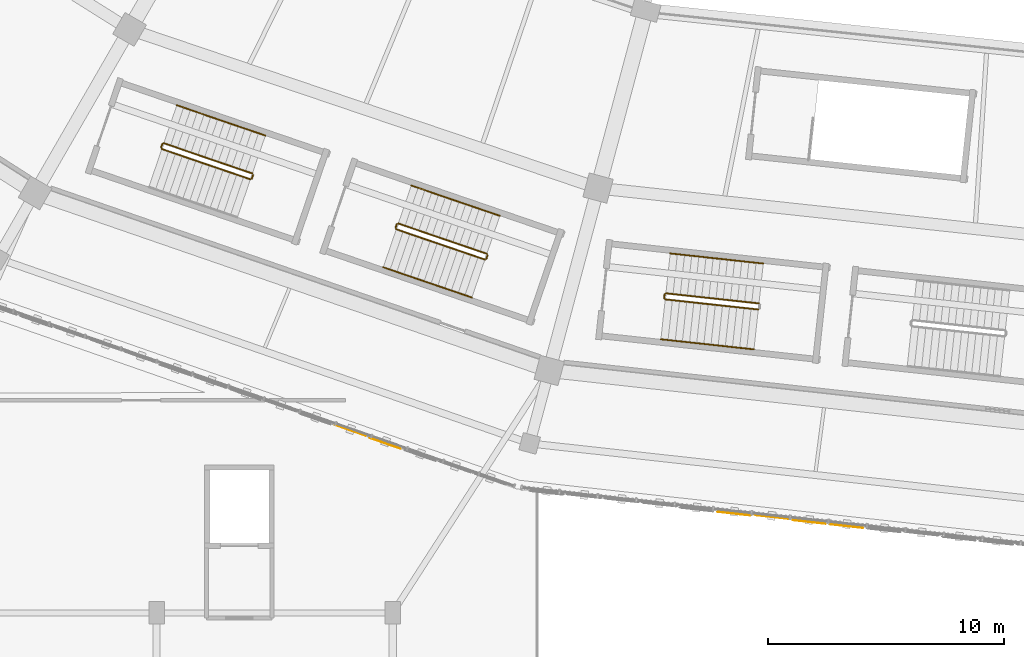
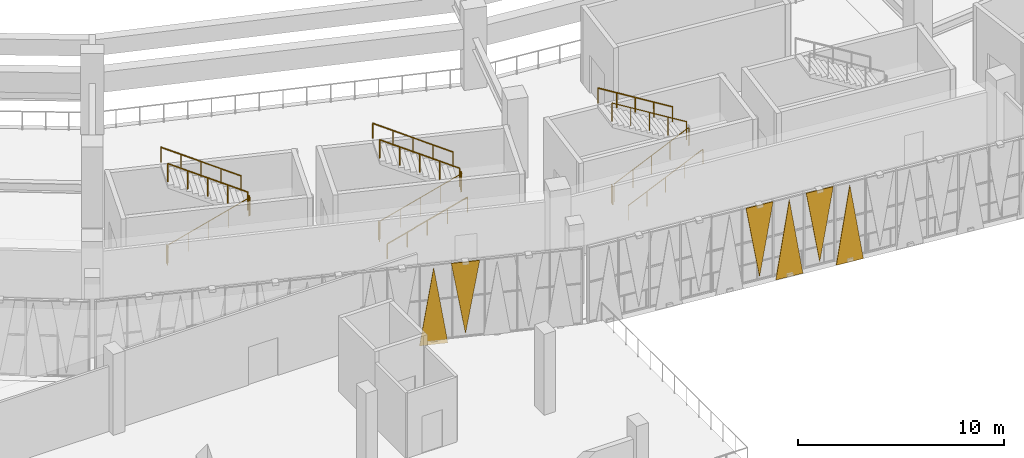
# One storey, part 132 of 179: 16 railings, 6 coverings.
"""IFC4 building model written with IfcOpenShell, lengths in metres."""

from ifc_helpers import new_model, si_unit, direction, frame, origin, origin_2d, place, context, subcontext, project, spatial, polyline, circle, outline, extrude, material, layer, layer_set, type_object, element, save


model = new_model("IFC4")

# Units and contexts
model_context = context("Model", 3, precision=1e-05, world=origin(), true_north=direction((0.0, 1.0)))
body_context = subcontext(model_context, "Body", "Model", "MODEL_VIEW")
ifc_project = project(units=[si_unit("LENGTHUNIT", "METRE"), si_unit("AREAUNIT", "SQUARE_METRE"), si_unit("VOLUMEUNIT", "CUBIC_METRE"), si_unit("PLANEANGLEUNIT", "RADIAN"), si_unit("MASSUNIT", "GRAM", prefix="KILO")], contexts=[model_context])

# Site, building, storey
site_placement = place(None, origin())
site = spatial("IfcSite", under=ifc_project, at=site_placement, CompositionType="ELEMENT")
building_placement = place(site_placement, origin())
building = spatial("IfcBuilding", under=site, at=building_placement, Name="Zevraka Park Crest Stadium", CompositionType="ELEMENT")
storey_placement = place(building_placement, frame((0.0, 0.0, 10.199951171875)))
storey = spatial("IfcBuildingStorey", under=building, at=storey_placement, Name="L02", CompositionType="ELEMENT", Elevation=10.199951171875)

# Coverings
ifc_material_1 = material(Name="Architectural golden-bronze perforated aluminium", Category="aluminium")
ifc_layer = layer(ifc_material_1, 0.034912109375)
ifc_layer_set = layer_set([ifc_layer], Name="Architectural golden-bronze perforated aluminium")
covering_type = type_object("IfcCoveringType", Name="CLD01", PredefinedType="CLADDING", material=ifc_layer_set)
covering_1_placement = place(storey_placement, frame((79.5390625, 16.947021484375, -0.239990234375), z_axis=(-0.329940648962, -0.944001677908, 1.6438083e-05), x_axis=(0.944001678035, -0.329940649006, 0.0)))
element("IfcCovering", 1, at=covering_1_placement, inside=storey, type_object=covering_type, Name="Triangular Golden-Bronze Perforated Cladding L02-16-11", PredefinedType="CLADDING", context=body_context, shape_type="SweptSolid", body=[
    extrude(outline(polyline([(0.0, 0.0), (1.4066509522935817, 8.470329472543003e-22), (0.703169965608822, 4.5600585943660885), (0.0, 0.0)])), origin(), (0.0, 0.0, -1.0), 0.034912109375),
])
covering_2_placement = place(storey_placement, frame((82.345947265625, 15.967041015625, 4.47998046875), z_axis=(0.329166977583, 0.94427172525, 9.8799929e-05), x_axis=(-0.944271729859, 0.32916697919, 0.0)))
element("IfcCovering", 2, at=covering_2_placement, inside=storey, type_object=covering_type, Name="Triangular Golden-Bronze Perforated Cladding L02-16-12", PredefinedType="CLADDING", context=body_context, shape_type="SweptSolid", body=[
    extrude(outline(polyline([(0.0, 0.0), (1.4062486648553232, -6.776263578034403e-21), (0.7034003260368679, -4.2600097864168855), (0.0, 0.0)])), origin(), (0.0, 0.0, -1.0), 0.034912109375),
])
covering_3_placement = place(storey_placement, frame((97.179931640625, 13.14501953125, 4.47998046875), z_axis=(0.109872351213, 0.993945705799, 1.9036296e-05), x_axis=(-0.993945705979, 0.109872351233, 0.0)))
element("IfcCovering", 3, at=covering_3_placement, inside=storey, type_object=covering_type, Name="Triangular Golden-Bronze Perforated Cladding L02-17-6", PredefinedType="CLADDING", context=body_context, shape_type="SweptSolid", body=[
    extrude(outline(polyline([(0.0, 0.0), (1.4376590889512042, 0.0), (0.719206950416663, -4.260009766396873), (0.0, 0.0)])), origin(), (0.0, 0.0, -1.0), 0.034912109375),
])
covering_4_placement = place(storey_placement, frame((97.339111328125, 13.126953125, -0.239990234375), z_axis=(-0.110543347705, -0.993871296647, 0.000118231067), x_axis=(0.993871303594, -0.110543348478, 0.0)))
element("IfcCovering", 4, at=covering_4_placement, inside=storey, type_object=covering_type, Name="Triangular Golden-Bronze Perforated Cladding L02-17-7", PredefinedType="CLADDING", context=body_context, shape_type="SweptSolid", body=[
    extrude(outline(polyline([(0.0, 0.0), (1.4377667138168417, 3.3881317890172014e-21), (0.7182092756998811, 4.5600586256215845), (0.0, 0.0)])), origin(), (0.0, 0.0, -1.0), 0.034912109375),
])
covering_5_placement = place(storey_placement, frame((100.35595703125, 12.7919921875, 4.47998046875), z_axis=(0.110543347094, 0.993871291151, 0.000158234661), x_axis=(-0.993871303594, 0.110543348478, 0.0)))
element("IfcCovering", 5, at=covering_5_placement, inside=storey, type_object=covering_type, Name="Triangular Golden-Bronze Perforated Cladding L02-17-8", PredefinedType="CLADDING", context=body_context, shape_type="SweptSolid", body=[
    extrude(outline(polyline([(0.0, 0.0), (1.4377667138168417, 0.0), (0.7183442163108157, -4.260009818956506), (0.0, 0.0)])), origin(), (0.0, 0.0, -1.0), 0.034912109375),
])
covering_6_placement = place(storey_placement, frame((100.514892578125, 12.77490234375, -0.239990234375), z_axis=(0.110524695528, 0.993873375766, 6.7981619e-05), x_axis=(0.993873378063, -0.110524695784, 0.0)))
element("IfcCovering", 6, at=covering_6_placement, inside=storey, type_object=covering_type, Name="Triangular Golden-Bronze Perforated Cladding L02-17-9", PredefinedType="CLADDING", context=body_context, shape_type="SweptSolid", body=[
    extrude(outline(polyline([(0.0, 0.0), (1.4380093584313232, 0.0), (0.7195304443035038, -4.560058604287158), (0.0, 0.0)])), origin(), (0.0, 0.0, -1.0), 0.034912109375),
])

# Railings
ifc_material_2 = material(Name="Powder-coated tubular steel stairwell guard", Category="steel")
railing_type_1 = type_object("IfcRailingType", Name="GR03", PredefinedType="GUARDRAIL", material=ifc_material_2)
railing_1_placement = place(storey_placement, frame((72.218017578125, 28.649658203125, 0.17138671875)))
element("IfcRailing", 7, at=railing_1_placement, inside=storey, type_object=railing_type_1, Name="L02 ST17 stair guard 1", PredefinedType="GUARDRAIL", context=body_context, shape_type="SweptSolid", body=[
    extrude(circle(Radius=0.02392578125, at=origin_2d()), frame((0.0, 0.0, 1.076171875), z_axis=(0.824717605898, -0.282384596462, 0.489999806329), x_axis=(0.323938619155, 0.946078099852, 0.0)), (0.0, 0.0, 1.0), 4.548583984375),
    extrude(circle(Radius=0.02099609375, at=origin_2d()), origin(), (0.0, 0.0, 1.0), 1.052001953125),
    extrude(circle(Radius=0.02099609375, at=origin_2d()), frame((0.937744140625, -0.321044921875, 0.55712890625)), (0.0, 0.0, 1.0), 1.052001953125),
    extrude(circle(Radius=0.02099609375, at=origin_2d()), frame((1.87548828125, -0.64208984375, 1.1142578125)), (0.0, 0.0, 1.0), 1.052001953125),
    extrude(circle(Radius=0.02099609375, at=origin_2d()), frame((2.8134765625, -0.96337890625, 1.671630859375)), (0.0, 0.0, 1.0), 1.052001953125),
    extrude(circle(Radius=0.02099609375, at=origin_2d()), frame((3.751220703125, -1.284423828125, 2.228759765625)), (0.0, 0.0, 1.0), 1.052001953125),
])
railing_2_placement = place(storey_placement, frame((76.03271484375, 27.396240234375, 2.400146484375)))
element("IfcRailing", 8, at=railing_2_placement, inside=storey, type_object=railing_type_1, Name="L02 ST17 stair guard 2", PredefinedType="GUARDRAIL", context=body_context, shape_type="SweptSolid", body=[
    extrude(circle(Radius=0.02392578125, at=origin_2d()), frame((0.0, 0.0, 1.076171875), z_axis=(0.324909238665, 0.945745201748, 0.0), x_axis=(-0.945745201748, 0.324909238665, 0.0)), (0.0, 0.0, 1.0), 0.16015625),
    extrude(circle(Radius=0.02099609375, at=origin_2d()), origin(), (0.0, 0.0, 1.0), 1.052001953125),
    extrude(circle(Radius=0.02099609375, at=origin_2d()), frame((0.052001953125, 0.1513671875, 0.0)), (0.0, 0.0, 1.0), 1.052001953125),
])
railing_3_placement = place(storey_placement, frame((76.053466796875, 27.611083984375, 2.571533203125)))
element("IfcRailing", 9, at=railing_3_placement, inside=storey, type_object=railing_type_1, Name="L02 ST17 stair guard 3", PredefinedType="GUARDRAIL", context=body_context, shape_type="SweptSolid", body=[
    extrude(circle(Radius=0.02392578125, at=origin_2d()), frame((0.0, 0.0, 1.076171875), z_axis=(-0.824726794133, 0.282441418206, 0.489951589772), x_axis=(-0.32399372979, -0.946059228091, 0.0)), (0.0, 0.0, 1.0), 4.54833984375),
    extrude(circle(Radius=0.02099609375, at=origin_2d()), origin(), (0.0, 0.0, 1.0), 1.052001953125),
    extrude(circle(Radius=0.02099609375, at=origin_2d()), frame((-0.937744140625, 0.3212890625, 0.55712890625)), (0.0, 0.0, 1.0), 1.052001953125),
    extrude(circle(Radius=0.02099609375, at=origin_2d()), frame((-1.87548828125, 0.642333984375, 1.1142578125)), (0.0, 0.0, 1.0), 1.052001953125),
    extrude(circle(Radius=0.02099609375, at=origin_2d()), frame((-2.8134765625, 0.96337890625, 1.67138671875)), (0.0, 0.0, 1.0), 1.052001953125),
    extrude(circle(Radius=0.02099609375, at=origin_2d()), frame((-3.751220703125, 1.28466796875, 2.228515625)), (0.0, 0.0, 1.0), 1.052001953125),
])
railing_4_placement = place(storey_placement, frame((72.18701171875, 28.713134765625, 0.0)))
element("IfcRailing", 10, at=railing_4_placement, inside=storey, type_object=railing_type_1, Name="L02 ST17 stair guard 4", PredefinedType="GUARDRAIL", context=body_context, shape_type="SweptSolid", body=[
    extrude(circle(Radius=0.02392578125, at=origin_2d()), frame((0.0, 0.0, 1.076171875), z_axis=(0.32354385955, 0.946213174156, 0.0), x_axis=(-0.946213174156, 0.32354385955, 0.0)), (0.0, 0.0, 1.0), 0.159912109375),
    extrude(circle(Radius=0.02099609375, at=origin_2d()), origin(), (0.0, 0.0, 1.0), 1.052001953125),
    extrude(circle(Radius=0.02099609375, at=origin_2d()), frame((0.0517578125, 0.1513671875, 0.0)), (0.0, 0.0, 1.0), 1.052001953125),
])
railing_5_placement = place(storey_placement, frame((93.546630859375, 22.278076171875, 0.17138671875)))
element("IfcRailing", 11, at=railing_5_placement, inside=storey, type_object=railing_type_1, Name="L02 ST18 stair guard 1", PredefinedType="GUARDRAIL", context=body_context, shape_type="SweptSolid", body=[
    extrude(circle(Radius=0.02392578125, at=origin_2d()), frame((0.0, 0.0, 1.076171875), z_axis=(0.866614101159, -0.094304532128, 0.489986382354), x_axis=(0.108180884773, 0.994131226836, 0.0)), (0.0, 0.0, 1.0), 4.548583984375),
    extrude(circle(Radius=0.02099609375, at=origin_2d()), origin(), (0.0, 0.0, 1.0), 1.052001953125),
    extrude(circle(Radius=0.02099609375, at=origin_2d()), frame((0.9853515625, -0.107177734375, 0.55712890625)), (0.0, 0.0, 1.0), 1.052001953125),
    extrude(circle(Radius=0.02099609375, at=origin_2d()), frame((1.970947265625, -0.21435546875, 1.1142578125)), (0.0, 0.0, 1.0), 1.052001953125),
    extrude(circle(Radius=0.02099609375, at=origin_2d()), frame((2.95654296875, -0.32177734375, 1.671630859375)), (0.0, 0.0, 1.0), 1.052001953125),
    extrude(circle(Radius=0.02099609375, at=origin_2d()), frame((3.94189453125, -0.428955078125, 2.228759765625)), (0.0, 0.0, 1.0), 1.052001953125),
])
railing_6_placement = place(storey_placement, frame((97.5166015625, 22.107666015625, 2.571533203125)))
element("IfcRailing", 12, at=railing_6_placement, inside=storey, type_object=railing_type_1, Name="L02 ST18 stair guard 3", PredefinedType="GUARDRAIL", context=body_context, shape_type="SweptSolid", body=[
    extrude(circle(Radius=0.02392578125, at=origin_2d()), frame((0.0, 0.0, 1.076171875), z_axis=(-0.866623529368, 0.094311399263, 0.489968385015), x_axis=(-0.10818750693, -0.994130506193, 0.0)), (0.0, 0.0, 1.0), 4.54833984375),
    extrude(circle(Radius=0.02099609375, at=origin_2d()), origin(), (0.0, 0.0, 1.0), 1.052001953125),
    extrude(circle(Radius=0.02099609375, at=origin_2d()), frame((-0.9853515625, 0.107177734375, 0.55712890625)), (0.0, 0.0, 1.0), 1.052001953125),
    extrude(circle(Radius=0.02099609375, at=origin_2d()), frame((-1.970703125, 0.21435546875, 1.1142578125)), (0.0, 0.0, 1.0), 1.052001953125),
    extrude(circle(Radius=0.02099609375, at=origin_2d()), frame((-2.956298828125, 0.32177734375, 1.67138671875)), (0.0, 0.0, 1.0), 1.052001953125),
    extrude(circle(Radius=0.02099609375, at=origin_2d()), frame((-3.941650390625, 0.428955078125, 2.228515625)), (0.0, 0.0, 1.0), 1.052001953125),
])
railing_7_placement = place(storey_placement, frame((93.50244140625, 22.333251953125, 0.0)))
element("IfcRailing", 13, at=railing_7_placement, inside=storey, type_object=railing_type_1, Name="L02 ST18 stair guard 4", PredefinedType="GUARDRAIL", context=body_context, shape_type="SweptSolid", body=[
    extrude(circle(Radius=0.02392578125, at=origin_2d()), frame((0.0, 0.0, 1.076171875), z_axis=(0.108255734054, 0.994123078921, 0.0), x_axis=(-0.994123078921, 0.108255734054, 0.0)), (0.0, 0.0, 1.0), 0.16015625),
    extrude(circle(Radius=0.02099609375, at=origin_2d()), origin(), (0.0, 0.0, 1.0), 1.052001953125),
    extrude(circle(Radius=0.02099609375, at=origin_2d()), frame((0.017333984375, 0.1591796875, 0.0)), (0.0, 0.0, 1.0), 1.052001953125),
])
railing_8_placement = place(storey_placement, frame((82.152099609375, 25.248779296875, 0.17138671875)))
element("IfcRailing", 14, at=railing_8_placement, inside=storey, type_object=railing_type_1, Name="L02 ST29 stair guard 1", PredefinedType="GUARDRAIL", context=body_context, shape_type="SweptSolid", body=[
    extrude(circle(Radius=0.02392578125, at=origin_2d()), frame((0.0, 0.0, 1.076171875), z_axis=(0.824705104737, -0.282433990311, 0.489992378857), x_axis=(0.32399372979, 0.946059228091, 0.0)), (0.0, 0.0, 1.0), 4.548583984375),
    extrude(circle(Radius=0.02099609375, at=origin_2d()), origin(), (0.0, 0.0, 1.0), 1.052001953125),
    extrude(circle(Radius=0.02099609375, at=origin_2d()), frame((0.937744140625, -0.3212890625, 0.55712890625)), (0.0, 0.0, 1.0), 1.052001953125),
    extrude(circle(Radius=0.02099609375, at=origin_2d()), frame((1.87548828125, -0.642333984375, 1.1142578125)), (0.0, 0.0, 1.0), 1.052001953125),
    extrude(circle(Radius=0.02099609375, at=origin_2d()), frame((2.8134765625, -0.96337890625, 1.671630859375)), (0.0, 0.0, 1.0), 1.052001953125),
    extrude(circle(Radius=0.02099609375, at=origin_2d()), frame((3.751220703125, -1.28466796875, 2.228759765625)), (0.0, 0.0, 1.0), 1.052001953125),
])
railing_9_placement = place(storey_placement, frame((85.966796875, 23.9951171875, 2.400146484375)))
element("IfcRailing", 15, at=railing_9_placement, inside=storey, type_object=railing_type_1, Name="L02 ST29 stair guard 2", PredefinedType="GUARDRAIL", context=body_context, shape_type="SweptSolid", body=[
    extrude(circle(Radius=0.02392578125, at=origin_2d()), frame((0.0, 0.0, 1.076171875), z_axis=(0.32354385955, 0.946213174156, 0.0), x_axis=(-0.946213174156, 0.32354385955, 0.0)), (0.0, 0.0, 1.0), 0.159912109375),
    extrude(circle(Radius=0.02099609375, at=origin_2d()), origin(), (0.0, 0.0, 1.0), 1.052001953125),
    extrude(circle(Radius=0.02099609375, at=origin_2d()), frame((0.0517578125, 0.1513671875, 0.0)), (0.0, 0.0, 1.0), 1.052001953125),
])
railing_10_placement = place(storey_placement, frame((85.987548828125, 24.210205078125, 2.571533203125)))
element("IfcRailing", 16, at=railing_10_placement, inside=storey, type_object=railing_type_1, Name="L02 ST29 stair guard 3", PredefinedType="GUARDRAIL", context=body_context, shape_type="SweptSolid", body=[
    extrude(circle(Radius=0.02392578125, at=origin_2d()), frame((0.0, 0.0, 1.076171875), z_axis=(-0.824739296281, 0.282392023283, 0.489959017016), x_axis=(-0.323938619155, -0.946078099852, 0.0)), (0.0, 0.0, 1.0), 4.54833984375),
    extrude(circle(Radius=0.02099609375, at=origin_2d()), origin(), (0.0, 0.0, 1.0), 1.052001953125),
    extrude(circle(Radius=0.02099609375, at=origin_2d()), frame((-0.937744140625, 0.321044921875, 0.55712890625)), (0.0, 0.0, 1.0), 1.052001953125),
    extrude(circle(Radius=0.02099609375, at=origin_2d()), frame((-1.87548828125, 0.64208984375, 1.1142578125)), (0.0, 0.0, 1.0), 1.052001953125),
    extrude(circle(Radius=0.02099609375, at=origin_2d()), frame((-2.8134765625, 0.96337890625, 1.67138671875)), (0.0, 0.0, 1.0), 1.052001953125),
    extrude(circle(Radius=0.02099609375, at=origin_2d()), frame((-3.751220703125, 1.284423828125, 2.228515625)), (0.0, 0.0, 1.0), 1.052001953125),
])
railing_11_placement = place(storey_placement, frame((82.12109375, 25.312255859375, 0.0)))
element("IfcRailing", 17, at=railing_11_placement, inside=storey, type_object=railing_type_1, Name="L02 ST29 stair guard 4", PredefinedType="GUARDRAIL", context=body_context, shape_type="SweptSolid", body=[
    extrude(circle(Radius=0.02392578125, at=origin_2d()), frame((0.0, 0.0, 1.076171875), z_axis=(0.32354385955, 0.946213174156, 0.0), x_axis=(-0.946213174156, 0.32354385955, 0.0)), (0.0, 0.0, 1.0), 0.159912109375),
    extrude(circle(Radius=0.02099609375, at=origin_2d()), origin(), (0.0, 0.0, 1.0), 1.052001953125),
    extrude(circle(Radius=0.02099609375, at=origin_2d()), frame((0.0517578125, 0.1513671875, 0.0)), (0.0, 0.0, 1.0), 1.052001953125),
])
ifc_material_3 = material(Name="Brushed stainless steel continuous handrail", Category="steel")
railing_type_2 = type_object("IfcRailingType", Name="HR01", PredefinedType="HANDRAIL", material=ifc_material_3)
railing_12_placement = place(storey_placement, frame((76.604248046875, 29.219482421875, 2.571533203125)))
element("IfcRailing", 18, at=railing_12_placement, inside=storey, type_object=railing_type_2, Name="L02 ST17 stair handrail 2", PredefinedType="HANDRAIL", context=body_context, shape_type="SweptSolid", body=[
    extrude(circle(Radius=0.02392578125, at=origin_2d()), frame((0.0, 0.0, 0.8759765625), z_axis=(-0.824739296281, 0.282392023283, 0.489959017016), x_axis=(-0.323938619155, -0.946078099852, 0.0)), (0.0, 0.0, 1.0), 4.54833984375),
    extrude(circle(Radius=0.02099609375, at=origin_2d()), origin(), (0.0, 0.0, 1.0), 0.851806640625),
    extrude(circle(Radius=0.02099609375, at=origin_2d()), frame((-0.937744140625, 0.321044921875, 0.55712890625)), (0.0, 0.0, 1.0), 0.851806640625),
    extrude(circle(Radius=0.02099609375, at=origin_2d()), frame((-1.87548828125, 0.64208984375, 1.1142578125)), (0.0, 0.0, 1.0), 0.851806640625),
    extrude(circle(Radius=0.02099609375, at=origin_2d()), frame((-2.8134765625, 0.96337890625, 1.67138671875)), (0.0, 0.0, 1.0), 0.851806640625),
    extrude(circle(Radius=0.02099609375, at=origin_2d()), frame((-3.751220703125, 1.284423828125, 2.228515625)), (0.0, 0.0, 1.0), 0.851806640625),
])
railing_13_placement = place(storey_placement, frame((93.36279296875, 20.588134765625, 0.17138671875)))
element("IfcRailing", 19, at=railing_13_placement, inside=storey, type_object=railing_type_2, Name="L02 ST18 stair handrail 1", PredefinedType="HANDRAIL", context=body_context, shape_type="SweptSolid", body=[
    extrude(circle(Radius=0.02392578125, at=origin_2d()), frame((0.0, 0.0, 0.8759765625), z_axis=(0.866600736571, -0.094308918808, 0.490009174615), x_axis=(0.10818750693, 0.994130506193, 0.0)), (0.0, 0.0, 1.0), 4.54833984375),
    extrude(circle(Radius=0.02099609375, at=origin_2d()), origin(), (0.0, 0.0, 1.0), 0.851806640625),
    extrude(circle(Radius=0.02099609375, at=origin_2d()), frame((0.9853515625, -0.107177734375, 0.55712890625)), (0.0, 0.0, 1.0), 0.851806640625),
    extrude(circle(Radius=0.02099609375, at=origin_2d()), frame((1.970703125, -0.21435546875, 1.1142578125)), (0.0, 0.0, 1.0), 0.851806640625),
    extrude(circle(Radius=0.02099609375, at=origin_2d()), frame((2.956298828125, -0.32177734375, 1.671630859375)), (0.0, 0.0, 1.0), 0.851806640625),
    extrude(circle(Radius=0.02099609375, at=origin_2d()), frame((3.941650390625, -0.428955078125, 2.228759765625)), (0.0, 0.0, 1.0), 0.851806640625),
])
railing_14_placement = place(storey_placement, frame((97.700439453125, 23.797607421875, 2.571533203125)))
element("IfcRailing", 20, at=railing_14_placement, inside=storey, type_object=railing_type_2, Name="L02 ST18 stair handrail 2", PredefinedType="HANDRAIL", context=body_context, shape_type="SweptSolid", body=[
    extrude(circle(Radius=0.02392578125, at=origin_2d()), frame((0.0, 0.0, 0.8759765625), z_axis=(-0.866623529368, 0.094311399263, 0.489968385015), x_axis=(-0.10818750693, -0.994130506193, 0.0)), (0.0, 0.0, 1.0), 4.54833984375),
    extrude(circle(Radius=0.02099609375, at=origin_2d()), origin(), (0.0, 0.0, 1.0), 0.851806640625),
    extrude(circle(Radius=0.02099609375, at=origin_2d()), frame((-0.9853515625, 0.107177734375, 0.55712890625)), (0.0, 0.0, 1.0), 0.851806640625),
    extrude(circle(Radius=0.02099609375, at=origin_2d()), frame((-1.970703125, 0.21435546875, 1.1142578125)), (0.0, 0.0, 1.0), 0.851806640625),
    extrude(circle(Radius=0.02099609375, at=origin_2d()), frame((-2.956298828125, 0.32177734375, 1.67138671875)), (0.0, 0.0, 1.0), 0.851806640625),
    extrude(circle(Radius=0.02099609375, at=origin_2d()), frame((-3.941650390625, 0.428955078125, 2.228515625)), (0.0, 0.0, 1.0), 0.851806640625),
])
railing_15_placement = place(storey_placement, frame((81.601318359375, 23.640380859375, 0.17138671875)))
element("IfcRailing", 21, at=railing_15_placement, inside=storey, type_object=railing_type_2, Name="L02 ST29 stair handrail 1", PredefinedType="HANDRAIL", context=body_context, shape_type="SweptSolid", body=[
    extrude(circle(Radius=0.02392578125, at=origin_2d()), frame((0.0, 0.0, 0.8759765625), z_axis=(0.824705104737, -0.282433990311, 0.489992378857), x_axis=(0.32399372979, 0.946059228091, 0.0)), (0.0, 0.0, 1.0), 4.548583984375),
    extrude(circle(Radius=0.02099609375, at=origin_2d()), origin(), (0.0, 0.0, 1.0), 0.851806640625),
    extrude(circle(Radius=0.02099609375, at=origin_2d()), frame((0.937744140625, -0.3212890625, 0.55712890625)), (0.0, 0.0, 1.0), 0.851806640625),
    extrude(circle(Radius=0.02099609375, at=origin_2d()), frame((1.87548828125, -0.642333984375, 1.1142578125)), (0.0, 0.0, 1.0), 0.851806640625),
    extrude(circle(Radius=0.02099609375, at=origin_2d()), frame((2.8134765625, -0.96337890625, 1.671630859375)), (0.0, 0.0, 1.0), 0.851806640625),
    extrude(circle(Radius=0.02099609375, at=origin_2d()), frame((3.751220703125, -1.28466796875, 2.228759765625)), (0.0, 0.0, 1.0), 0.851806640625),
])
railing_16_placement = place(storey_placement, frame((86.538330078125, 25.818359375, 2.571533203125)))
element("IfcRailing", 22, at=railing_16_placement, inside=storey, type_object=railing_type_2, Name="L02 ST29 stair handrail 2", PredefinedType="HANDRAIL", context=body_context, shape_type="SweptSolid", body=[
    extrude(circle(Radius=0.02392578125, at=origin_2d()), frame((0.0, 0.0, 0.8759765625), z_axis=(-0.824726794133, 0.282441418206, 0.489951589772), x_axis=(-0.32399372979, -0.946059228091, 0.0)), (0.0, 0.0, 1.0), 4.54833984375),
    extrude(circle(Radius=0.02099609375, at=origin_2d()), origin(), (0.0, 0.0, 1.0), 0.851806640625),
    extrude(circle(Radius=0.02099609375, at=origin_2d()), frame((-0.937744140625, 0.3212890625, 0.55712890625)), (0.0, 0.0, 1.0), 0.851806640625),
    extrude(circle(Radius=0.02099609375, at=origin_2d()), frame((-1.87548828125, 0.642333984375, 1.1142578125)), (0.0, 0.0, 1.0), 0.851806640625),
    extrude(circle(Radius=0.02099609375, at=origin_2d()), frame((-2.8134765625, 0.96337890625, 1.67138671875)), (0.0, 0.0, 1.0), 0.851806640625),
    extrude(circle(Radius=0.02099609375, at=origin_2d()), frame((-3.751220703125, 1.28466796875, 2.228515625)), (0.0, 0.0, 1.0), 0.851806640625),
])

save(model, "model.ifc")
